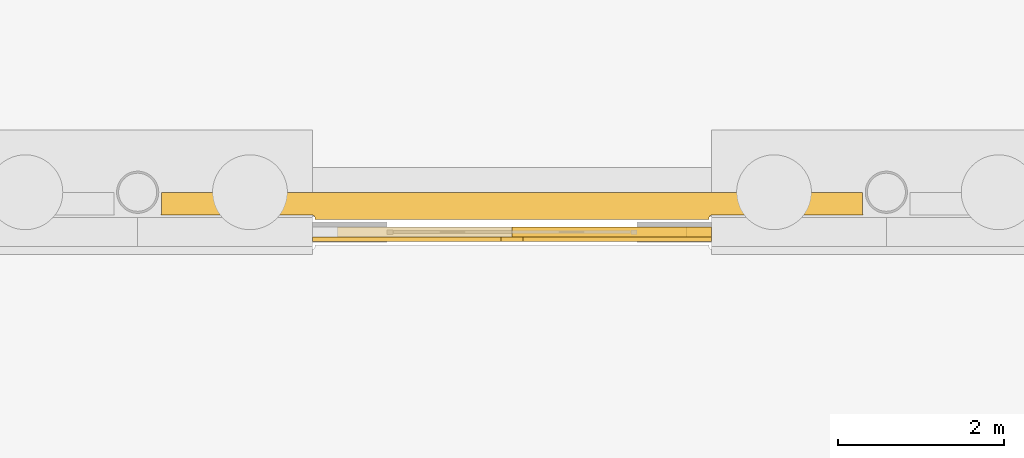
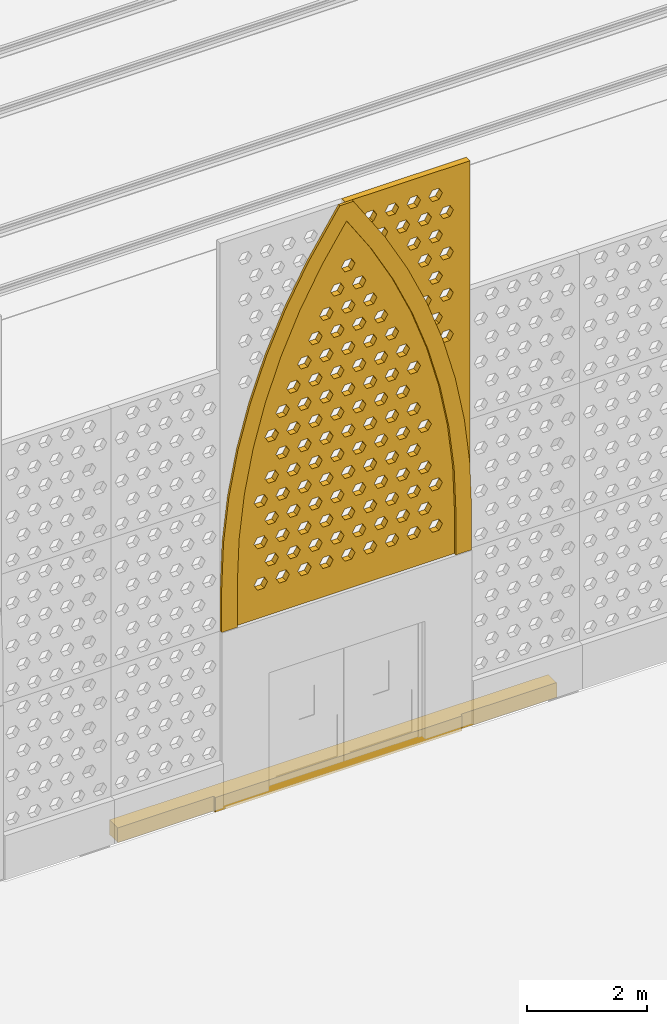
# One storey, part 204 of 250: 2 coverings, 2 shading devices.
"""IFC4 building model written with IfcOpenShell, lengths in metres."""

from ifc_helpers import new_model, si_unit, direction, frame, origin, place, context, subcontext, project, spatial, polyline, outline, extrude, material, layer, layer_set, type_object, element, save


model = new_model("IFC4")

# Units and contexts
model_context = context("Model", 3, precision=1e-05, world=origin(), true_north=direction((0.0, 1.0)))
body_context = subcontext(model_context, "Body", "Model", "MODEL_VIEW")
ifc_project = project(units=[si_unit("LENGTHUNIT", "METRE"), si_unit("AREAUNIT", "SQUARE_METRE"), si_unit("VOLUMEUNIT", "CUBIC_METRE"), si_unit("PLANEANGLEUNIT", "RADIAN"), si_unit("MASSUNIT", "GRAM", prefix="KILO")], contexts=[model_context])

# Site, building, storey
site_placement = place(None, origin())
site = spatial("IfcSite", under=ifc_project, at=site_placement, CompositionType="ELEMENT")
building_placement = place(site_placement, origin())
building = spatial("IfcBuilding", under=site, at=building_placement, Name="Baradari Gate Terminus", CompositionType="ELEMENT")
storey_placement = place(building_placement, origin())
storey = spatial("IfcBuildingStorey", under=building, at=storey_placement, Name="L00", CompositionType="ELEMENT", Elevation=0.0)

# Covering
ifc_material_1 = material(Name="Laterite masonry", Category="masonry")
ifc_layer_1 = layer(ifc_material_1, 0.050048828125)
ifc_layer_set_1 = layer_set([ifc_layer_1], Name="Laterite masonry")
covering_type_1 = type_object("IfcCoveringType", Name="Arch ring RG-1 50", PredefinedType="CLADDING", material=ifc_layer_set_1)
covering_1_placement = place(storey_placement, frame((209.10009765625, 35.43505859375, 3.52490234375), z_axis=(0.0, 0.0, 1.0), x_axis=(1.0, 0.0, 0.0)))
element("IfcCovering", 1, at=covering_1_placement, inside=storey, type_object=covering_type_1, Name="Arch ring RG-1 SC06b", PredefinedType="CLADDING", context=body_context, shape_type="SweptSolid", body=[
    extrude(outline(polyline([(0.034423828125, 1.8046875), (0.0, 0.90576171875), (0.0, 0.0), (0.300048828125, 0.0), (0.300048828125, 0.900146484375), (0.333740234375, 1.78173828125), (0.435302734375, 2.658203125), (0.603515625, 3.5244140625), (0.837646484375, 4.375), (1.13623046875, 5.205322265625), (1.49755859375, 6.01025390625), (1.919677734375, 6.784912109375), (2.39990234375, 7.525146484375), (2.880126953125, 6.784912109375), (3.30224609375, 6.01025390625), (3.663818359375, 5.205322265625), (3.96240234375, 4.375), (4.196533203125, 3.5244140625), (4.36474609375, 2.658203125), (4.466064453125, 1.78173828125), (4.5, 0.900146484375), (4.5, 0.0), (4.800048828125, 0.0), (4.800048828125, 0.90576171875), (4.765380859375, 1.8046875), (4.66162109375, 2.7041015625), (4.48876953125, 3.5927734375), (4.24853515625, 4.4658203125), (3.942138671875, 5.317626953125), (3.5712890625, 6.1435546875), (3.13818359375, 6.9384765625), (2.530517578125, 7.875), (2.26953125, 7.875), (1.661865234375, 6.9384765625), (1.228759765625, 6.1435546875), (0.85791015625, 5.317626953125), (0.55126953125, 4.4658203125), (0.31103515625, 3.5927734375), (0.138427734375, 2.7041015625), (0.034423828125, 1.8046875)])), frame((0.0, 0.02490234375, 0.0), z_axis=(0.0, -1.0, 0.0), x_axis=(1.0, 0.0, 0.0)), (0.0, 0.0, 1.0), 0.050048828125),
])

# Shading devices
ifc_material_2 = material(Name="Concrete C50/60 precast", Category="concrete")
ifc_layer_2 = layer(ifc_material_2, 0.1201171875)
ifc_layer_set_2 = layer_set([ifc_layer_2], Name="Concrete C50/60 precast")
shading_device_type = type_object("IfcShadingDeviceType", Name="Jali screen panel JS-2 120", PredefinedType="SHUTTER", material=ifc_layer_set_2)
shading_device_1_placement = place(storey_placement, frame((209.39990234375, 35.52001953125, 3.52490234375), z_axis=(0.0, 0.0, 1.0), x_axis=(1.0, 0.0, 0.0)))
element("IfcShadingDevice", 2, at=shading_device_1_placement, inside=storey, type_object=shading_device_type, Name="Jali screen panel JS-2 SC06b arch A", PredefinedType="SHUTTER", context=body_context, shape_type="SweptSolid", body=[
    extrude(outline(polyline([(0.0, 0.900146484375), (0.0, 0.0), (4.199951171875, 0.0), (4.199951171875, 0.900146484375), (4.166259765625, 1.78173828125), (4.064697265625, 2.658203125), (3.896484375, 3.5244140625), (3.662353515625, 4.375), (3.36376953125, 5.205322265625), (3.00244140625, 6.01025390625), (2.580322265625, 6.784912109375), (2.10009765625, 7.525146484375), (1.619873046875, 6.784912109375), (1.19775390625, 6.01025390625), (0.836181640625, 5.205322265625), (0.53759765625, 4.375), (0.303466796875, 3.5244140625), (0.13525390625, 2.658203125), (0.033935546875, 1.78173828125), (0.0, 0.900146484375)]), holes=[polyline([(0.610107421875, 0.690185546875), (0.544921875, 0.57763671875), (0.4150390625, 0.57763671875), (0.35009765625, 0.690185546875), (0.4150390625, 0.802734375), (0.544921875, 0.802734375), (0.610107421875, 0.690185546875)]), polyline([(1.030029296875, 0.690185546875), (0.965087890625, 0.57763671875), (0.8349609375, 0.57763671875), (0.77001953125, 0.690185546875), (0.8349609375, 0.802734375), (0.965087890625, 0.802734375), (1.030029296875, 0.690185546875)]), polyline([(1.449951171875, 0.690185546875), (1.385009765625, 0.57763671875), (1.2548828125, 0.57763671875), (1.18994140625, 0.690185546875), (1.2548828125, 0.802734375), (1.385009765625, 0.802734375), (1.449951171875, 0.690185546875)]), polyline([(1.8701171875, 0.690185546875), (1.804931640625, 0.57763671875), (1.675048828125, 0.57763671875), (1.610107421875, 0.690185546875), (1.675048828125, 0.802734375), (1.804931640625, 0.802734375), (1.8701171875, 0.690185546875)]), polyline([(2.2900390625, 0.690185546875), (2.22509765625, 0.57763671875), (2.094970703125, 0.57763671875), (2.030029296875, 0.690185546875), (2.094970703125, 0.802734375), (2.22509765625, 0.802734375), (2.2900390625, 0.690185546875)]), polyline([(2.7099609375, 0.690185546875), (2.64501953125, 0.57763671875), (2.514892578125, 0.57763671875), (2.449951171875, 0.690185546875), (2.514892578125, 0.802734375), (2.64501953125, 0.802734375), (2.7099609375, 0.690185546875)]), polyline([(3.1298828125, 0.690185546875), (3.06494140625, 0.57763671875), (2.93505859375, 0.57763671875), (2.8701171875, 0.690185546875), (2.93505859375, 0.802734375), (3.06494140625, 0.802734375), (3.1298828125, 0.690185546875)]), polyline([(3.550048828125, 0.690185546875), (3.485107421875, 0.57763671875), (3.35498046875, 0.57763671875), (3.2900390625, 0.690185546875), (3.35498046875, 0.802734375), (3.485107421875, 0.802734375), (3.550048828125, 0.690185546875)]), polyline([(3.969970703125, 0.690185546875), (3.905029296875, 0.57763671875), (3.77490234375, 0.57763671875), (3.7099609375, 0.690185546875), (3.77490234375, 0.802734375), (3.905029296875, 0.802734375), (3.969970703125, 0.690185546875)]), polyline([(0.820068359375, 1.110107421875), (0.7548828125, 0.99755859375), (0.625, 0.99755859375), (0.56005859375, 1.110107421875), (0.625, 1.22265625), (0.7548828125, 1.22265625), (0.820068359375, 1.110107421875)]), polyline([(1.239990234375, 1.110107421875), (1.175048828125, 0.99755859375), (1.044921875, 0.99755859375), (0.97998046875, 1.110107421875), (1.044921875, 1.22265625), (1.175048828125, 1.22265625), (1.239990234375, 1.110107421875)]), polyline([(1.659912109375, 1.110107421875), (1.594970703125, 0.99755859375), (1.465087890625, 0.99755859375), (1.39990234375, 1.110107421875), (1.465087890625, 1.22265625), (1.594970703125, 1.22265625), (1.659912109375, 1.110107421875)]), polyline([(2.080078125, 1.110107421875), (2.014892578125, 0.99755859375), (1.885009765625, 0.99755859375), (1.820068359375, 1.110107421875), (1.885009765625, 1.22265625), (2.014892578125, 1.22265625), (2.080078125, 1.110107421875)]), polyline([(2.5, 1.110107421875), (2.43505859375, 0.99755859375), (2.304931640625, 0.99755859375), (2.239990234375, 1.110107421875), (2.304931640625, 1.22265625), (2.43505859375, 1.22265625), (2.5, 1.110107421875)]), polyline([(2.919921875, 1.110107421875), (2.85498046875, 0.99755859375), (2.72509765625, 0.99755859375), (2.659912109375, 1.110107421875), (2.72509765625, 1.22265625), (2.85498046875, 1.22265625), (2.919921875, 1.110107421875)]), polyline([(3.340087890625, 1.110107421875), (3.27490234375, 0.99755859375), (3.14501953125, 0.99755859375), (3.080078125, 1.110107421875), (3.14501953125, 1.22265625), (3.27490234375, 1.22265625), (3.340087890625, 1.110107421875)]), polyline([(3.760009765625, 1.110107421875), (3.695068359375, 0.99755859375), (3.56494140625, 0.99755859375), (3.5, 1.110107421875), (3.56494140625, 1.22265625), (3.695068359375, 1.22265625), (3.760009765625, 1.110107421875)]), polyline([(0.610107421875, 1.530029296875), (0.544921875, 1.41748046875), (0.4150390625, 1.41748046875), (0.35009765625, 1.530029296875), (0.4150390625, 1.642578125), (0.544921875, 1.642578125), (0.610107421875, 1.530029296875)]), polyline([(1.030029296875, 1.530029296875), (0.965087890625, 1.41748046875), (0.8349609375, 1.41748046875), (0.77001953125, 1.530029296875), (0.8349609375, 1.642578125), (0.965087890625, 1.642578125), (1.030029296875, 1.530029296875)]), polyline([(1.449951171875, 1.530029296875), (1.385009765625, 1.41748046875), (1.2548828125, 1.41748046875), (1.18994140625, 1.530029296875), (1.2548828125, 1.642578125), (1.385009765625, 1.642578125), (1.449951171875, 1.530029296875)]), polyline([(1.8701171875, 1.530029296875), (1.804931640625, 1.41748046875), (1.675048828125, 1.41748046875), (1.610107421875, 1.530029296875), (1.675048828125, 1.642578125), (1.804931640625, 1.642578125), (1.8701171875, 1.530029296875)]), polyline([(2.2900390625, 1.530029296875), (2.22509765625, 1.41748046875), (2.094970703125, 1.41748046875), (2.030029296875, 1.530029296875), (2.094970703125, 1.642578125), (2.22509765625, 1.642578125), (2.2900390625, 1.530029296875)]), polyline([(2.7099609375, 1.530029296875), (2.64501953125, 1.41748046875), (2.514892578125, 1.41748046875), (2.449951171875, 1.530029296875), (2.514892578125, 1.642578125), (2.64501953125, 1.642578125), (2.7099609375, 1.530029296875)]), polyline([(3.1298828125, 1.530029296875), (3.06494140625, 1.41748046875), (2.93505859375, 1.41748046875), (2.8701171875, 1.530029296875), (2.93505859375, 1.642578125), (3.06494140625, 1.642578125), (3.1298828125, 1.530029296875)]), polyline([(3.550048828125, 1.530029296875), (3.485107421875, 1.41748046875), (3.35498046875, 1.41748046875), (3.2900390625, 1.530029296875), (3.35498046875, 1.642578125), (3.485107421875, 1.642578125), (3.550048828125, 1.530029296875)]), polyline([(3.969970703125, 1.530029296875), (3.905029296875, 1.41748046875), (3.77490234375, 1.41748046875), (3.7099609375, 1.530029296875), (3.77490234375, 1.642578125), (3.905029296875, 1.642578125), (3.969970703125, 1.530029296875)]), polyline([(0.820068359375, 1.9501953125), (0.7548828125, 1.83740234375), (0.625, 1.83740234375), (0.56005859375, 1.9501953125), (0.625, 2.062744140625), (0.7548828125, 2.062744140625), (0.820068359375, 1.9501953125)]), polyline([(1.239990234375, 1.9501953125), (1.175048828125, 1.83740234375), (1.044921875, 1.83740234375), (0.97998046875, 1.9501953125), (1.044921875, 2.062744140625), (1.175048828125, 2.062744140625), (1.239990234375, 1.9501953125)]), polyline([(1.659912109375, 1.9501953125), (1.594970703125, 1.83740234375), (1.465087890625, 1.83740234375), (1.39990234375, 1.9501953125), (1.465087890625, 2.062744140625), (1.594970703125, 2.062744140625), (1.659912109375, 1.9501953125)]), polyline([(2.080078125, 1.9501953125), (2.014892578125, 1.83740234375), (1.885009765625, 1.83740234375), (1.820068359375, 1.9501953125), (1.885009765625, 2.062744140625), (2.014892578125, 2.062744140625), (2.080078125, 1.9501953125)]), polyline([(2.5, 1.9501953125), (2.43505859375, 1.83740234375), (2.304931640625, 1.83740234375), (2.239990234375, 1.9501953125), (2.304931640625, 2.062744140625), (2.43505859375, 2.062744140625), (2.5, 1.9501953125)]), polyline([(2.919921875, 1.9501953125), (2.85498046875, 1.83740234375), (2.72509765625, 1.83740234375), (2.659912109375, 1.9501953125), (2.72509765625, 2.062744140625), (2.85498046875, 2.062744140625), (2.919921875, 1.9501953125)]), polyline([(3.340087890625, 1.9501953125), (3.27490234375, 1.83740234375), (3.14501953125, 1.83740234375), (3.080078125, 1.9501953125), (3.14501953125, 2.062744140625), (3.27490234375, 2.062744140625), (3.340087890625, 1.9501953125)]), polyline([(3.760009765625, 1.9501953125), (3.695068359375, 1.83740234375), (3.56494140625, 1.83740234375), (3.5, 1.9501953125), (3.56494140625, 2.062744140625), (3.695068359375, 2.062744140625), (3.760009765625, 1.9501953125)]), polyline([(0.610107421875, 2.3701171875), (0.544921875, 2.257568359375), (0.4150390625, 2.257568359375), (0.35009765625, 2.3701171875), (0.4150390625, 2.482666015625), (0.544921875, 2.482666015625), (0.610107421875, 2.3701171875)]), polyline([(1.030029296875, 2.3701171875), (0.965087890625, 2.257568359375), (0.8349609375, 2.257568359375), (0.77001953125, 2.3701171875), (0.8349609375, 2.482666015625), (0.965087890625, 2.482666015625), (1.030029296875, 2.3701171875)]), polyline([(1.449951171875, 2.3701171875), (1.385009765625, 2.257568359375), (1.2548828125, 2.257568359375), (1.18994140625, 2.3701171875), (1.2548828125, 2.482666015625), (1.385009765625, 2.482666015625), (1.449951171875, 2.3701171875)]), polyline([(1.8701171875, 2.3701171875), (1.804931640625, 2.257568359375), (1.675048828125, 2.257568359375), (1.610107421875, 2.3701171875), (1.675048828125, 2.482666015625), (1.804931640625, 2.482666015625), (1.8701171875, 2.3701171875)]), polyline([(2.2900390625, 2.3701171875), (2.22509765625, 2.257568359375), (2.094970703125, 2.257568359375), (2.030029296875, 2.3701171875), (2.094970703125, 2.482666015625), (2.22509765625, 2.482666015625), (2.2900390625, 2.3701171875)]), polyline([(2.7099609375, 2.3701171875), (2.64501953125, 2.257568359375), (2.514892578125, 2.257568359375), (2.449951171875, 2.3701171875), (2.514892578125, 2.482666015625), (2.64501953125, 2.482666015625), (2.7099609375, 2.3701171875)]), polyline([(3.1298828125, 2.3701171875), (3.06494140625, 2.257568359375), (2.93505859375, 2.257568359375), (2.8701171875, 2.3701171875), (2.93505859375, 2.482666015625), (3.06494140625, 2.482666015625), (3.1298828125, 2.3701171875)]), polyline([(3.550048828125, 2.3701171875), (3.485107421875, 2.257568359375), (3.35498046875, 2.257568359375), (3.2900390625, 2.3701171875), (3.35498046875, 2.482666015625), (3.485107421875, 2.482666015625), (3.550048828125, 2.3701171875)]), polyline([(0.820068359375, 2.7900390625), (0.7548828125, 2.677490234375), (0.625, 2.677490234375), (0.56005859375, 2.7900390625), (0.625, 2.902587890625), (0.7548828125, 2.902587890625), (0.820068359375, 2.7900390625)]), polyline([(1.239990234375, 2.7900390625), (1.175048828125, 2.677490234375), (1.044921875, 2.677490234375), (0.97998046875, 2.7900390625), (1.044921875, 2.902587890625), (1.175048828125, 2.902587890625), (1.239990234375, 2.7900390625)]), polyline([(1.659912109375, 2.7900390625), (1.594970703125, 2.677490234375), (1.465087890625, 2.677490234375), (1.39990234375, 2.7900390625), (1.465087890625, 2.902587890625), (1.594970703125, 2.902587890625), (1.659912109375, 2.7900390625)]), polyline([(2.080078125, 2.7900390625), (2.014892578125, 2.677490234375), (1.885009765625, 2.677490234375), (1.820068359375, 2.7900390625), (1.885009765625, 2.902587890625), (2.014892578125, 2.902587890625), (2.080078125, 2.7900390625)]), polyline([(2.5, 2.7900390625), (2.43505859375, 2.677490234375), (2.304931640625, 2.677490234375), (2.239990234375, 2.7900390625), (2.304931640625, 2.902587890625), (2.43505859375, 2.902587890625), (2.5, 2.7900390625)]), polyline([(2.919921875, 2.7900390625), (2.85498046875, 2.677490234375), (2.72509765625, 2.677490234375), (2.659912109375, 2.7900390625), (2.72509765625, 2.902587890625), (2.85498046875, 2.902587890625), (2.919921875, 2.7900390625)]), polyline([(3.340087890625, 2.7900390625), (3.27490234375, 2.677490234375), (3.14501953125, 2.677490234375), (3.080078125, 2.7900390625), (3.14501953125, 2.902587890625), (3.27490234375, 2.902587890625), (3.340087890625, 2.7900390625)]), polyline([(3.760009765625, 2.7900390625), (3.695068359375, 2.677490234375), (3.56494140625, 2.677490234375), (3.5, 2.7900390625), (3.56494140625, 2.902587890625), (3.695068359375, 2.902587890625), (3.760009765625, 2.7900390625)]), polyline([(1.030029296875, 3.210205078125), (0.965087890625, 3.097412109375), (0.8349609375, 3.097412109375), (0.77001953125, 3.210205078125), (0.8349609375, 3.32275390625), (0.965087890625, 3.32275390625), (1.030029296875, 3.210205078125)]), polyline([(1.449951171875, 3.210205078125), (1.385009765625, 3.097412109375), (1.2548828125, 3.097412109375), (1.18994140625, 3.210205078125), (1.2548828125, 3.32275390625), (1.385009765625, 3.32275390625), (1.449951171875, 3.210205078125)]), polyline([(1.8701171875, 3.210205078125), (1.804931640625, 3.097412109375), (1.675048828125, 3.097412109375), (1.610107421875, 3.210205078125), (1.675048828125, 3.32275390625), (1.804931640625, 3.32275390625), (1.8701171875, 3.210205078125)]), polyline([(2.2900390625, 3.210205078125), (2.22509765625, 3.097412109375), (2.094970703125, 3.097412109375), (2.030029296875, 3.210205078125), (2.094970703125, 3.32275390625), (2.22509765625, 3.32275390625), (2.2900390625, 3.210205078125)]), polyline([(2.7099609375, 3.210205078125), (2.64501953125, 3.097412109375), (2.514892578125, 3.097412109375), (2.449951171875, 3.210205078125), (2.514892578125, 3.32275390625), (2.64501953125, 3.32275390625), (2.7099609375, 3.210205078125)]), polyline([(3.1298828125, 3.210205078125), (3.06494140625, 3.097412109375), (2.93505859375, 3.097412109375), (2.8701171875, 3.210205078125), (2.93505859375, 3.32275390625), (3.06494140625, 3.32275390625), (3.1298828125, 3.210205078125)]), polyline([(3.550048828125, 3.210205078125), (3.485107421875, 3.097412109375), (3.35498046875, 3.097412109375), (3.2900390625, 3.210205078125), (3.35498046875, 3.32275390625), (3.485107421875, 3.32275390625), (3.550048828125, 3.210205078125)]), polyline([(0.820068359375, 3.630126953125), (0.7548828125, 3.517578125), (0.625, 3.517578125), (0.56005859375, 3.630126953125), (0.625, 3.74267578125), (0.7548828125, 3.74267578125), (0.820068359375, 3.630126953125)]), polyline([(1.239990234375, 3.630126953125), (1.175048828125, 3.517578125), (1.044921875, 3.517578125), (0.97998046875, 3.630126953125), (1.044921875, 3.74267578125), (1.175048828125, 3.74267578125), (1.239990234375, 3.630126953125)]), polyline([(1.659912109375, 3.630126953125), (1.594970703125, 3.517578125), (1.465087890625, 3.517578125), (1.39990234375, 3.630126953125), (1.465087890625, 3.74267578125), (1.594970703125, 3.74267578125), (1.659912109375, 3.630126953125)]), polyline([(2.080078125, 3.630126953125), (2.014892578125, 3.517578125), (1.885009765625, 3.517578125), (1.820068359375, 3.630126953125), (1.885009765625, 3.74267578125), (2.014892578125, 3.74267578125), (2.080078125, 3.630126953125)]), polyline([(2.5, 3.630126953125), (2.43505859375, 3.517578125), (2.304931640625, 3.517578125), (2.239990234375, 3.630126953125), (2.304931640625, 3.74267578125), (2.43505859375, 3.74267578125), (2.5, 3.630126953125)]), polyline([(2.919921875, 3.630126953125), (2.85498046875, 3.517578125), (2.72509765625, 3.517578125), (2.659912109375, 3.630126953125), (2.72509765625, 3.74267578125), (2.85498046875, 3.74267578125), (2.919921875, 3.630126953125)]), polyline([(3.340087890625, 3.630126953125), (3.27490234375, 3.517578125), (3.14501953125, 3.517578125), (3.080078125, 3.630126953125), (3.14501953125, 3.74267578125), (3.27490234375, 3.74267578125), (3.340087890625, 3.630126953125)]), polyline([(1.030029296875, 4.050048828125), (0.965087890625, 3.9375), (0.8349609375, 3.9375), (0.77001953125, 4.050048828125), (0.8349609375, 4.16259765625), (0.965087890625, 4.16259765625), (1.030029296875, 4.050048828125)]), polyline([(1.449951171875, 4.050048828125), (1.385009765625, 3.9375), (1.2548828125, 3.9375), (1.18994140625, 4.050048828125), (1.2548828125, 4.16259765625), (1.385009765625, 4.16259765625), (1.449951171875, 4.050048828125)]), polyline([(1.8701171875, 4.050048828125), (1.804931640625, 3.9375), (1.675048828125, 3.9375), (1.610107421875, 4.050048828125), (1.675048828125, 4.16259765625), (1.804931640625, 4.16259765625), (1.8701171875, 4.050048828125)]), polyline([(2.2900390625, 4.050048828125), (2.22509765625, 3.9375), (2.094970703125, 3.9375), (2.030029296875, 4.050048828125), (2.094970703125, 4.16259765625), (2.22509765625, 4.16259765625), (2.2900390625, 4.050048828125)]), polyline([(2.7099609375, 4.050048828125), (2.64501953125, 3.9375), (2.514892578125, 3.9375), (2.449951171875, 4.050048828125), (2.514892578125, 4.16259765625), (2.64501953125, 4.16259765625), (2.7099609375, 4.050048828125)]), polyline([(3.1298828125, 4.050048828125), (3.06494140625, 3.9375), (2.93505859375, 3.9375), (2.8701171875, 4.050048828125), (2.93505859375, 4.16259765625), (3.06494140625, 4.16259765625), (3.1298828125, 4.050048828125)]), polyline([(3.550048828125, 4.050048828125), (3.485107421875, 3.9375), (3.35498046875, 3.9375), (3.2900390625, 4.050048828125), (3.35498046875, 4.16259765625), (3.485107421875, 4.16259765625), (3.550048828125, 4.050048828125)]), polyline([(1.239990234375, 4.47021484375), (1.175048828125, 4.357421875), (1.044921875, 4.357421875), (0.97998046875, 4.47021484375), (1.044921875, 4.582763671875), (1.175048828125, 4.582763671875), (1.239990234375, 4.47021484375)]), polyline([(1.659912109375, 4.47021484375), (1.594970703125, 4.357421875), (1.465087890625, 4.357421875), (1.39990234375, 4.47021484375), (1.465087890625, 4.582763671875), (1.594970703125, 4.582763671875), (1.659912109375, 4.47021484375)]), polyline([(2.080078125, 4.47021484375), (2.014892578125, 4.357421875), (1.885009765625, 4.357421875), (1.820068359375, 4.47021484375), (1.885009765625, 4.582763671875), (2.014892578125, 4.582763671875), (2.080078125, 4.47021484375)]), polyline([(2.5, 4.47021484375), (2.43505859375, 4.357421875), (2.304931640625, 4.357421875), (2.239990234375, 4.47021484375), (2.304931640625, 4.582763671875), (2.43505859375, 4.582763671875), (2.5, 4.47021484375)]), polyline([(2.919921875, 4.47021484375), (2.85498046875, 4.357421875), (2.72509765625, 4.357421875), (2.659912109375, 4.47021484375), (2.72509765625, 4.582763671875), (2.85498046875, 4.582763671875), (2.919921875, 4.47021484375)]), polyline([(3.340087890625, 4.47021484375), (3.27490234375, 4.357421875), (3.14501953125, 4.357421875), (3.080078125, 4.47021484375), (3.14501953125, 4.582763671875), (3.27490234375, 4.582763671875), (3.340087890625, 4.47021484375)]), polyline([(1.449951171875, 4.89013671875), (1.385009765625, 4.777587890625), (1.2548828125, 4.777587890625), (1.18994140625, 4.89013671875), (1.2548828125, 5.002685546875), (1.385009765625, 5.002685546875), (1.449951171875, 4.89013671875)]), polyline([(1.8701171875, 4.89013671875), (1.804931640625, 4.777587890625), (1.675048828125, 4.777587890625), (1.610107421875, 4.89013671875), (1.675048828125, 5.002685546875), (1.804931640625, 5.002685546875), (1.8701171875, 4.89013671875)]), polyline([(2.2900390625, 4.89013671875), (2.22509765625, 4.777587890625), (2.094970703125, 4.777587890625), (2.030029296875, 4.89013671875), (2.094970703125, 5.002685546875), (2.22509765625, 5.002685546875), (2.2900390625, 4.89013671875)]), polyline([(2.7099609375, 4.89013671875), (2.64501953125, 4.777587890625), (2.514892578125, 4.777587890625), (2.449951171875, 4.89013671875), (2.514892578125, 5.002685546875), (2.64501953125, 5.002685546875), (2.7099609375, 4.89013671875)]), polyline([(3.1298828125, 4.89013671875), (3.06494140625, 4.777587890625), (2.93505859375, 4.777587890625), (2.8701171875, 4.89013671875), (2.93505859375, 5.002685546875), (3.06494140625, 5.002685546875), (3.1298828125, 4.89013671875)]), polyline([(1.659912109375, 5.31005859375), (1.594970703125, 5.197509765625), (1.465087890625, 5.197509765625), (1.39990234375, 5.31005859375), (1.465087890625, 5.422607421875), (1.594970703125, 5.422607421875), (1.659912109375, 5.31005859375)]), polyline([(2.080078125, 5.31005859375), (2.014892578125, 5.197509765625), (1.885009765625, 5.197509765625), (1.820068359375, 5.31005859375), (1.885009765625, 5.422607421875), (2.014892578125, 5.422607421875), (2.080078125, 5.31005859375)]), polyline([(2.5, 5.31005859375), (2.43505859375, 5.197509765625), (2.304931640625, 5.197509765625), (2.239990234375, 5.31005859375), (2.304931640625, 5.422607421875), (2.43505859375, 5.422607421875), (2.5, 5.31005859375)]), polyline([(2.919921875, 5.31005859375), (2.85498046875, 5.197509765625), (2.72509765625, 5.197509765625), (2.659912109375, 5.31005859375), (2.72509765625, 5.422607421875), (2.85498046875, 5.422607421875), (2.919921875, 5.31005859375)]), polyline([(1.8701171875, 5.72998046875), (1.804931640625, 5.617431640625), (1.675048828125, 5.617431640625), (1.610107421875, 5.72998046875), (1.675048828125, 5.8427734375), (1.804931640625, 5.8427734375), (1.8701171875, 5.72998046875)]), polyline([(2.2900390625, 5.72998046875), (2.22509765625, 5.617431640625), (2.094970703125, 5.617431640625), (2.030029296875, 5.72998046875), (2.094970703125, 5.8427734375), (2.22509765625, 5.8427734375), (2.2900390625, 5.72998046875)]), polyline([(2.7099609375, 5.72998046875), (2.64501953125, 5.617431640625), (2.514892578125, 5.617431640625), (2.449951171875, 5.72998046875), (2.514892578125, 5.8427734375), (2.64501953125, 5.8427734375), (2.7099609375, 5.72998046875)]), polyline([(2.080078125, 6.150146484375), (2.014892578125, 6.03759765625), (1.885009765625, 6.03759765625), (1.820068359375, 6.150146484375), (1.885009765625, 6.2626953125), (2.014892578125, 6.2626953125), (2.080078125, 6.150146484375)]), polyline([(2.5, 6.150146484375), (2.43505859375, 6.03759765625), (2.304931640625, 6.03759765625), (2.239990234375, 6.150146484375), (2.304931640625, 6.2626953125), (2.43505859375, 6.2626953125), (2.5, 6.150146484375)]), polyline([(2.2900390625, 6.570068359375), (2.22509765625, 6.45751953125), (2.094970703125, 6.45751953125), (2.030029296875, 6.570068359375), (2.094970703125, 6.6826171875), (2.22509765625, 6.6826171875), (2.2900390625, 6.570068359375)])]), frame((0.0, 0.06005859375, 0.0), z_axis=(0.0, -1.0, 0.0), x_axis=(1.0, 0.0, 0.0)), (0.0, 0.0, 1.0), 0.1201171875),
])
shading_device_2_placement = place(storey_placement, frame((211.5, 35.52001953125, 3.52490234375), z_axis=(0.0, 0.0, 1.0), x_axis=(1.0, 0.0, 0.0)))
element("IfcShadingDevice", 3, at=shading_device_2_placement, inside=storey, type_object=shading_device_type, Name="Jali screen panel JS-2 SC06b arch R1", PredefinedType="SHUTTER", context=body_context, shape_type="SweptSolid", body=[
    extrude(outline(polyline([(0.0, 7.875), (0.0, 7.525146484375), (0.480224609375, 6.784912109375), (0.90234375, 6.01025390625), (1.263671875, 5.205322265625), (1.5625, 4.375), (1.796630859375, 3.5244140625), (1.96484375, 2.658203125), (2.066162109375, 1.78173828125), (2.10009765625, 0.900146484375), (2.10009765625, 0.0), (2.39990234375, 0.0), (2.39990234375, 7.875), (0.0, 7.875)]), holes=[polyline([(2.080078125, 4.47021484375), (2.014892578125, 4.357421875), (1.885009765625, 4.357421875), (1.820068359375, 4.47021484375), (1.885009765625, 4.582763671875), (2.014892578125, 4.582763671875), (2.080078125, 4.47021484375)]), polyline([(1.8701171875, 4.89013671875), (1.804931640625, 4.777587890625), (1.675048828125, 4.777587890625), (1.610107421875, 4.89013671875), (1.675048828125, 5.002685546875), (1.804931640625, 5.002685546875), (1.8701171875, 4.89013671875)]), polyline([(1.659912109375, 5.31005859375), (1.594970703125, 5.197509765625), (1.465087890625, 5.197509765625), (1.39990234375, 5.31005859375), (1.465087890625, 5.422607421875), (1.594970703125, 5.422607421875), (1.659912109375, 5.31005859375)]), polyline([(2.080078125, 5.31005859375), (2.014892578125, 5.197509765625), (1.885009765625, 5.197509765625), (1.820068359375, 5.31005859375), (1.885009765625, 5.422607421875), (2.014892578125, 5.422607421875), (2.080078125, 5.31005859375)]), polyline([(1.8701171875, 5.72998046875), (1.804931640625, 5.617431640625), (1.675048828125, 5.617431640625), (1.610107421875, 5.72998046875), (1.675048828125, 5.8427734375), (1.804931640625, 5.8427734375), (1.8701171875, 5.72998046875)]), polyline([(1.659912109375, 6.150146484375), (1.594970703125, 6.03759765625), (1.465087890625, 6.03759765625), (1.39990234375, 6.150146484375), (1.465087890625, 6.2626953125), (1.594970703125, 6.2626953125), (1.659912109375, 6.150146484375)]), polyline([(2.080078125, 6.150146484375), (2.014892578125, 6.03759765625), (1.885009765625, 6.03759765625), (1.820068359375, 6.150146484375), (1.885009765625, 6.2626953125), (2.014892578125, 6.2626953125), (2.080078125, 6.150146484375)]), polyline([(1.449951171875, 6.570068359375), (1.385009765625, 6.45751953125), (1.2548828125, 6.45751953125), (1.18994140625, 6.570068359375), (1.2548828125, 6.6826171875), (1.385009765625, 6.6826171875), (1.449951171875, 6.570068359375)]), polyline([(1.8701171875, 6.570068359375), (1.804931640625, 6.45751953125), (1.675048828125, 6.45751953125), (1.610107421875, 6.570068359375), (1.675048828125, 6.6826171875), (1.804931640625, 6.6826171875), (1.8701171875, 6.570068359375)]), polyline([(0.820068359375, 6.989990234375), (0.7548828125, 6.87744140625), (0.625, 6.87744140625), (0.56005859375, 6.989990234375), (0.625, 7.102783203125), (0.7548828125, 7.102783203125), (0.820068359375, 6.989990234375)]), polyline([(1.239990234375, 6.989990234375), (1.175048828125, 6.87744140625), (1.044921875, 6.87744140625), (0.97998046875, 6.989990234375), (1.044921875, 7.102783203125), (1.175048828125, 7.102783203125), (1.239990234375, 6.989990234375)]), polyline([(1.659912109375, 6.989990234375), (1.594970703125, 6.87744140625), (1.465087890625, 6.87744140625), (1.39990234375, 6.989990234375), (1.465087890625, 7.102783203125), (1.594970703125, 7.102783203125), (1.659912109375, 6.989990234375)]), polyline([(2.080078125, 6.989990234375), (2.014892578125, 6.87744140625), (1.885009765625, 6.87744140625), (1.820068359375, 6.989990234375), (1.885009765625, 7.102783203125), (2.014892578125, 7.102783203125), (2.080078125, 6.989990234375)]), polyline([(0.610107421875, 7.41015625), (0.544921875, 7.297607421875), (0.4150390625, 7.297607421875), (0.35009765625, 7.41015625), (0.4150390625, 7.522705078125), (0.544921875, 7.522705078125), (0.610107421875, 7.41015625)]), polyline([(1.030029296875, 7.41015625), (0.965087890625, 7.297607421875), (0.8349609375, 7.297607421875), (0.77001953125, 7.41015625), (0.8349609375, 7.522705078125), (0.965087890625, 7.522705078125), (1.030029296875, 7.41015625)]), polyline([(1.449951171875, 7.41015625), (1.385009765625, 7.297607421875), (1.2548828125, 7.297607421875), (1.18994140625, 7.41015625), (1.2548828125, 7.522705078125), (1.385009765625, 7.522705078125), (1.449951171875, 7.41015625)]), polyline([(1.8701171875, 7.41015625), (1.804931640625, 7.297607421875), (1.675048828125, 7.297607421875), (1.610107421875, 7.41015625), (1.675048828125, 7.522705078125), (1.804931640625, 7.522705078125), (1.8701171875, 7.41015625)])]), frame((0.0, 0.06005859375, 0.0), z_axis=(0.0, -1.0, 0.0), x_axis=(1.0, 0.0, 0.0)), (0.0, 0.0, 1.0), 0.1201171875),
])

# Covering
ifc_material_3 = material(Name="Planted lawn")
ifc_layer_3 = layer(ifc_material_3, 0.300048828125)
ifc_layer_set_3 = layer_set([ifc_layer_3], Name="Planted lawn")
covering_type_2 = type_object("IfcCoveringType", Name="Planted lawn bed LW-1 300", PredefinedType="USERDEFINED", material=ifc_layer_set_3)
covering_2_placement = place(storey_placement, frame((0.0, 0.0, -0.300048828125)))
element("IfcCovering", 4, at=covering_2_placement, inside=storey, type_object=covering_type_2, Name="Planted lawn 9", ObjectType="LAWN", PredefinedType="USERDEFINED", context=body_context, shape_type="SweptSolid", body=[
    extrude(outline(polyline([(207.280517578125, 35.73193359375), (207.279052734375, 35.729248046875), (207.277099609375, 35.72705078125), (207.275390625, 35.72509765625), (209.10009765625, 35.72509765625), (209.10302734375, 35.724853515625), (209.10595703125, 35.724365234375), (209.108642578125, 35.7236328125), (209.111572265625, 35.72265625), (209.1142578125, 35.721435546875), (209.11669921875, 35.719970703125), (209.119140625, 35.71826171875), (209.12109375, 35.71630859375), (209.123291015625, 35.714111328125), (209.125, 35.711669921875), (209.12646484375, 35.709228515625), (209.127685546875, 35.70654296875), (209.128662109375, 35.70361328125), (209.12939453125, 35.700927734375), (209.1298828125, 35.697998046875), (209.1298828125, 35.695068359375), (209.1298828125, 35.675048828125), (213.8701171875, 35.675048828125), (213.8701171875, 35.695068359375), (213.8701171875, 35.697998046875), (213.87060546875, 35.700927734375), (213.871337890625, 35.70361328125), (213.872314453125, 35.70654296875), (213.87353515625, 35.709228515625), (213.875, 35.711669921875), (213.876708984375, 35.714111328125), (213.87890625, 35.71630859375), (213.880859375, 35.71826171875), (213.88330078125, 35.719970703125), (213.8857421875, 35.721435546875), (213.888427734375, 35.72265625), (213.891357421875, 35.7236328125), (213.89404296875, 35.724365234375), (213.89697265625, 35.724853515625), (213.89990234375, 35.72509765625), (215.724609375, 35.72509765625), (215.722900390625, 35.72705078125), (215.720947265625, 35.729248046875), (215.719482421875, 35.73193359375), (215.71826171875, 35.734619140625), (215.71728515625, 35.7373046875), (215.716552734375, 35.740234375), (215.716064453125, 35.7431640625), (215.716064453125, 35.74609375), (215.716064453125, 36.0), (207.283935546875, 36.0), (207.283935546875, 35.74609375), (207.283935546875, 35.7431640625), (207.283447265625, 35.740234375), (207.28271484375, 35.7373046875), (207.28173828125, 35.734619140625), (207.280517578125, 35.73193359375)])), origin(), (0.0, 0.0, 1.0), 0.300048828125),
])

save(model, "model.ifc")
